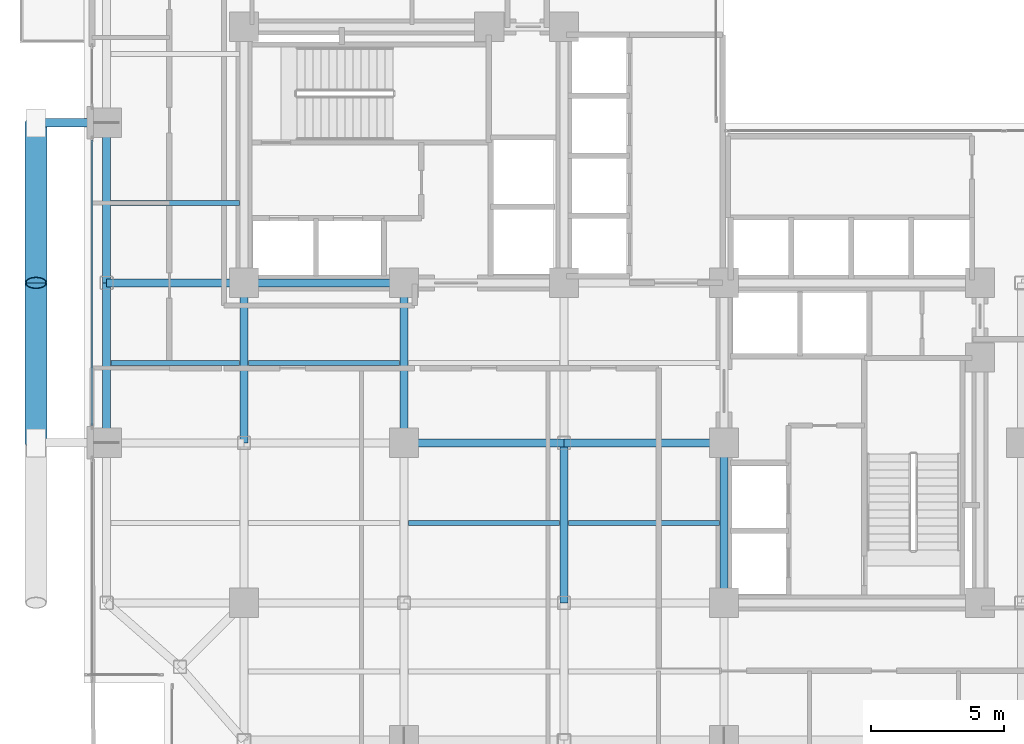
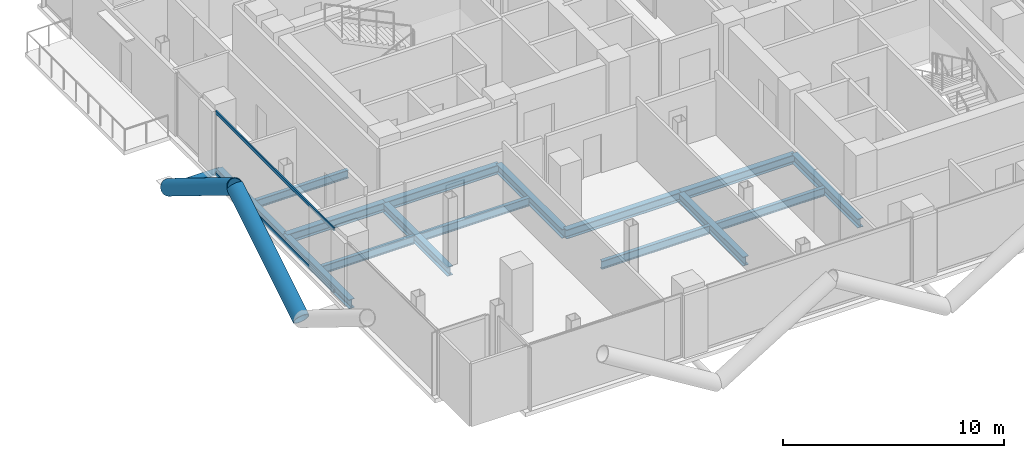
# One storey, part 6 of 28: 15 beams, 5 members, 1 element without a shape of its own.
"""IFC4 building model written with IfcOpenShell, lengths in metres."""

from ifc_helpers import new_model, si_unit, direction, frame, origin, origin_2d, place, context, subcontext, project, spatial, hollow_rectangle, hollow_circle, i_section, extrude, material, layer, layer_set, material_profile, profile_set, type_object, element, aggregate, save


model = new_model("IFC4")

# Units and contexts
model_context = context("Model", 3, precision=1e-05, world=origin(), true_north=direction((0.0, 1.0)))
body_context = subcontext(model_context, "Body", "Model", "MODEL_VIEW")
ifc_project = project(units=[si_unit("LENGTHUNIT", "METRE"), si_unit("AREAUNIT", "SQUARE_METRE"), si_unit("VOLUMEUNIT", "CUBIC_METRE"), si_unit("PLANEANGLEUNIT", "RADIAN"), si_unit("MASSUNIT", "GRAM", prefix="KILO"), si_unit("THERMODYNAMICTEMPERATUREUNIT", "KELVIN"), si_unit("POWERUNIT", "WATT")], contexts=[model_context])

# Site, building, storey
site_placement = place(None, origin())
site = spatial("IfcSite", under=ifc_project, at=site_placement, CompositionType="ELEMENT")
building_placement = place(site_placement, origin())
building = spatial("IfcBuilding", under=site, at=building_placement, Name="Svarakhadi Broadcast Tower", CompositionType="ELEMENT")
storey_placement = place(building_placement, frame((0.0, 0.0, 107.10009765625)))
storey = spatial("IfcBuildingStorey", under=building, at=storey_placement, Name="L25", CompositionType="ELEMENT", Elevation=107.10009765625)

# Beams
ifc_material_1 = material(Name="Steel S355J2 (IS 2062 E350C)", Category="steel")
ifc_material_profile_1 = material_profile(ifc_material_1, i_section(OverallWidth=0.18994140625, OverallDepth=0.449951171875, WebThickness=0.009521484375, FlangeThickness=0.0146484375, FilletRadius=0.02099609375, at=origin_2d()), Name="NPB 450x190x78")
ifc_profile_set_1 = profile_set([ifc_material_profile_1], Name="Steel S355J2 (IS 2062 E350C)")
beam_type_1 = type_object("IfcBeamType", Name="Beam_NPB450", PredefinedType="BEAM", material=ifc_profile_set_1)
for number, where, z_axis, x_axis, name in (
    (1, (1.010009765625, 15.0, -0.4501953125), (1.0, 0.0, 0.0), (0.0, 1.0, 0.0), "L25 Secondary Composite Beam SB002"),
    (2, (1.010009765625, 21.0, -0.4501953125), (1.0, 0.0, 0.0), (0.0, 1.0, 0.0), "L25 Secondary Composite Beam SB003"),
):
    element("IfcBeam", number, at=place(storey_placement, frame(where, z_axis=z_axis, x_axis=x_axis)), inside=storey, type_object=beam_type_1, Name=name, PredefinedType="BEAM", context=body_context, shape_type="SweptSolid", body=[
        extrude(i_section(OverallWidth=0.18994140625, OverallDepth=0.449951171875, WebThickness=0.009521484375, FlangeThickness=0.0146484375, FilletRadius=0.02099609375, at=origin_2d()), origin(), (0.0, 0.0, 1.0), 4.830078125),
    ])
for number, where, z_axis, x_axis, name in (
    (3, (6.159912109375, 15.0, -0.4501953125), (1.0, 0.0, 0.0), (0.0, 1.0, 0.0), "L25 Secondary Composite Beam SB008"),
    (4, (12.159912109375, 9.0, -0.4501953125), (1.0, 0.0, 0.0), (0.0, 1.0, 0.0), "L25 Secondary Composite Beam SB012"),
    (5, (18.159912109375, 9.0, -0.4501953125), (1.0, 0.0, 0.0), (0.0, 1.0, 0.0), "L25 Secondary Composite Beam SB017"),
):
    element("IfcBeam", number, at=place(storey_placement, frame(where, z_axis=z_axis, x_axis=x_axis)), inside=storey, type_object=beam_type_1, Name=name, PredefinedType="BEAM", context=body_context, shape_type="SweptSolid", body=[
        extrude(i_section(OverallWidth=0.18994140625, OverallDepth=0.449951171875, WebThickness=0.009521484375, FlangeThickness=0.0146484375, FilletRadius=0.02099609375, at=origin_2d()), origin(), (0.0, 0.0, 1.0), 5.68017578125),
    ])

# Curtain wall, members
ifc_material_2 = material(Name="Anodised Bronze Aluminium AA 6063-T6", Category="aluminium")
ifc_layer = layer(ifc_material_2, 0.199951171875)
ifc_layer_set = layer_set([ifc_layer], Name="Anodised Bronze Aluminium AA 6063-T6")
curtain_wall_type = type_object("IfcCurtainWallType", Name="CW_Sys_03", PredefinedType="NOTDEFINED", material=ifc_layer_set)
curtain_wall_placement = place(storey_placement, origin())
curtain_wall = element("IfcCurtainWall", 6, at=curtain_wall_placement, inside=storey, type_object=curtain_wall_type, Name="L25 West Curtain Wall 02 Bay 2", PredefinedType="NOTDEFINED")
ifc_material_profile_2 = material_profile(ifc_material_2, hollow_rectangle(XDim=0.070068359375, YDim=0.18505859375, WallThickness=0.0048828125, at=origin_2d()), Name="ALU TRANSOM 185x70x5")
ifc_profile_set_2 = profile_set([ifc_material_profile_2], Name="Anodised Bronze Aluminium AA 6063-T6")
member_type_1 = type_object("IfcMemberType", Name="CW_Sys_03_Trn", PredefinedType="USERDEFINED", material=ifc_profile_set_2)
member_1_placement = place(storey_placement, frame((0.300048828125, 12.64501953125, 0.034912109375), z_axis=(0.0, 1.0, 0.0), x_axis=(-1.0, 0.0, 0.0)))
member_1 = element("IfcMember", 7, at=member_1_placement, type_object=member_type_1, Name="CW-03 transom 1.1", ObjectType="TRANSOM", PredefinedType="USERDEFINED", context=body_context, shape_type="SweptSolid", body=[
    extrude(hollow_rectangle(XDim=0.070068359375, YDim=0.18505859375, WallThickness=0.0048828125, at=origin_2d()), origin(), (0.0, 0.0, 1.0), 10.7099609375),
])
member_2_placement = place(storey_placement, frame((0.300048828125, 12.64501953125, 3.43994140625), z_axis=(0.0, 1.0, 0.0), x_axis=(-1.0, 0.0, 0.0)))
member_2 = element("IfcMember", 8, at=member_2_placement, type_object=member_type_1, Name="CW-03 transom 1.2", ObjectType="TRANSOM", PredefinedType="USERDEFINED", context=body_context, shape_type="SweptSolid", body=[
    extrude(hollow_rectangle(XDim=0.070068359375, YDim=0.18505859375, WallThickness=0.0048828125, at=origin_2d()), origin(), (0.0, 0.0, 1.0), 10.7099609375),
])
aggregate(curtain_wall, [member_1, member_2])

# Members
ifc_material_3 = material(Name="Steel S460ML (IS 2062 E450BR)", Category="steel")
ifc_material_profile_3 = material_profile(ifc_material_3, hollow_circle(Radius=0.406494140625, WallThickness=0.0400390625, at=origin_2d()), Name="CHS 813x40")
ifc_profile_set_3 = profile_set([ifc_material_profile_3], Name="Steel S460ML (IS 2062 E450BR)")
member_type_2 = type_object("IfcMemberType", Name="Exo_Brace_CHS813", PredefinedType="BRACE", material=ifc_profile_set_3)
for number, where, z_axis, x_axis, name in (
    (9, (-1.800048828125, 12.0, -0.386962890625), (0.0, 0.851173964427, 0.524883684525), (-1.0, 0.0, 0.0), "L25 Exposed Bronze Exoskeleton Diagonal W06"),
    (10, (-1.800048828125, 24.0, -0.386962890625), (0.0, -0.851173964427, 0.524883684525), (1.0, 0.0, 0.0), "L25 Exposed Bronze Exoskeleton Diagonal W07"),
):
    element("IfcMember", number, at=place(storey_placement, frame(where, z_axis=z_axis, x_axis=x_axis)), inside=storey, type_object=member_type_2, Name=name, PredefinedType="BRACE", context=body_context, shape_type="SweptSolid", body=[
        extrude(hollow_circle(Radius=0.406494140625, WallThickness=0.0400390625, at=origin_2d()), origin(), (0.0, 0.0, 1.0), 7.049072265625),
    ])
ifc_material_profile_4 = material_profile(ifc_material_3, hollow_circle(Radius=0.161865234375, WallThickness=0.01611328125, at=origin_2d()), Name="CHS 323.9x16")
ifc_profile_set_4 = profile_set([ifc_material_profile_4], Name="Steel S460ML (IS 2062 E450BR)")
member_type_3 = type_object("IfcMemberType", Name="Exo_Radial_Strut_Z2", PredefinedType="STRUT", material=ifc_profile_set_4)
member_3_placement = place(storey_placement, frame((-1.800048828125, 24.0, -0.386962890625), z_axis=(1.0, 0.0, 0.0), x_axis=(0.0, 1.0, 0.0)))
element("IfcMember", 11, at=member_3_placement, inside=storey, type_object=member_type_3, Name="L25 Exoskeleton Radial Tie Strut W04", PredefinedType="STRUT", context=body_context, shape_type="SweptSolid", body=[
    extrude(hollow_circle(Radius=0.161865234375, WallThickness=0.01611328125, at=origin_2d()), origin(), (0.0, 0.0, 1.0), 2.650146484375),
])

# Beams
ifc_material_profile_5 = material_profile(ifc_material_1, i_section(OverallWidth=0.300048828125, OverallDepth=0.5, WebThickness=0.014404296875, FlangeThickness=0.028076171875, FilletRadius=0.027099609375, at=origin_2d()), Name="WPB 500x300x187")
ifc_profile_set_5 = profile_set([ifc_material_profile_5], Name="Steel S355J2 (IS 2062 E350C)")
beam_type_2 = type_object("IfcBeamType", Name="Girder_WPB500", PredefinedType="USERDEFINED", material=ifc_profile_set_5)
for number, where, z_axis, x_axis, name in (
    (12, (12.0, 12.0, -0.47509765625), (1.0, 0.0, 0.0), (0.0, 1.0, 0.0), "L25 Primary E-W Girder G019"),
    (13, (18.0, 12.0, -0.47509765625), (1.0, 0.0, 0.0), (0.0, 1.0, 0.0), "L25 Primary E-W Girder G020"),
):
    element("IfcBeam", number, at=place(storey_placement, frame(where, z_axis=z_axis, x_axis=x_axis)), inside=storey, type_object=beam_type_2, Name=name, ObjectType="GIRDER", PredefinedType="USERDEFINED", context=body_context, shape_type="SweptSolid", body=[
        extrude(i_section(OverallWidth=0.300048828125, OverallDepth=0.5, WebThickness=0.014404296875, FlangeThickness=0.028076171875, FilletRadius=0.027099609375, at=origin_2d()), origin(), (0.0, 0.0, 1.0), 6.0),
    ])
beam_placement = place(storey_placement, frame((0.85009765625, 18.0, -0.47509765625), z_axis=(1.0, 0.0, 0.0), x_axis=(0.0, 1.0, 0.0)))
element("IfcBeam", 14, at=beam_placement, inside=storey, type_object=beam_type_2, Name="L25 Primary E-W Girder G023", ObjectType="GIRDER", PredefinedType="USERDEFINED", context=body_context, shape_type="SweptSolid", body=[
    extrude(i_section(OverallWidth=0.300048828125, OverallDepth=0.5, WebThickness=0.014404296875, FlangeThickness=0.028076171875, FilletRadius=0.027099609375, at=origin_2d()), origin(), (0.0, 0.0, 1.0), 5.14990234375),
])
for number, where, z_axis, x_axis, name in (
    (15, (6.0, 18.0, -0.47509765625), (1.0, 0.0, 0.0), (0.0, 1.0, 0.0), "L25 Primary E-W Girder G024"),
    (16, (0.85009765625, 12.0, -0.47509765625), (0.0, 1.0, 0.0), (-1.0, 0.0, 0.0), "L25 Primary N-S Girder G041"),
    (17, (0.85009765625, 18.0, -0.47509765625), (0.0, 1.0, 0.0), (-1.0, 0.0, 0.0), "L25 Primary N-S Girder G042"),
    (18, (6.0, 12.0, -0.47509765625), (0.0, 1.0, 0.0), (-1.0, 0.0, 0.0), "L25 Primary N-S Girder G047"),
    (19, (12.0, 12.0, -0.47509765625), (0.0, 1.0, 0.0), (-1.0, 0.0, 0.0), "L25 Primary N-S Girder G053"),
    (20, (18.0, 6.0, -0.47509765625), (0.0, 1.0, 0.0), (-1.0, 0.0, 0.0), "L25 Primary N-S Girder G057"),
    (21, (24.0, 6.0, -0.47509765625), (0.0, 1.0, 0.0), (-1.0, 0.0, 0.0), "L25 Primary N-S Girder G063"),
):
    element("IfcBeam", number, at=place(storey_placement, frame(where, z_axis=z_axis, x_axis=x_axis)), inside=storey, type_object=beam_type_2, Name=name, ObjectType="GIRDER", PredefinedType="USERDEFINED", context=body_context, shape_type="SweptSolid", body=[
        extrude(i_section(OverallWidth=0.300048828125, OverallDepth=0.5, WebThickness=0.014404296875, FlangeThickness=0.028076171875, FilletRadius=0.027099609375, at=origin_2d()), origin(), (0.0, 0.0, 1.0), 6.0),
    ])

save(model, "model.ifc")
